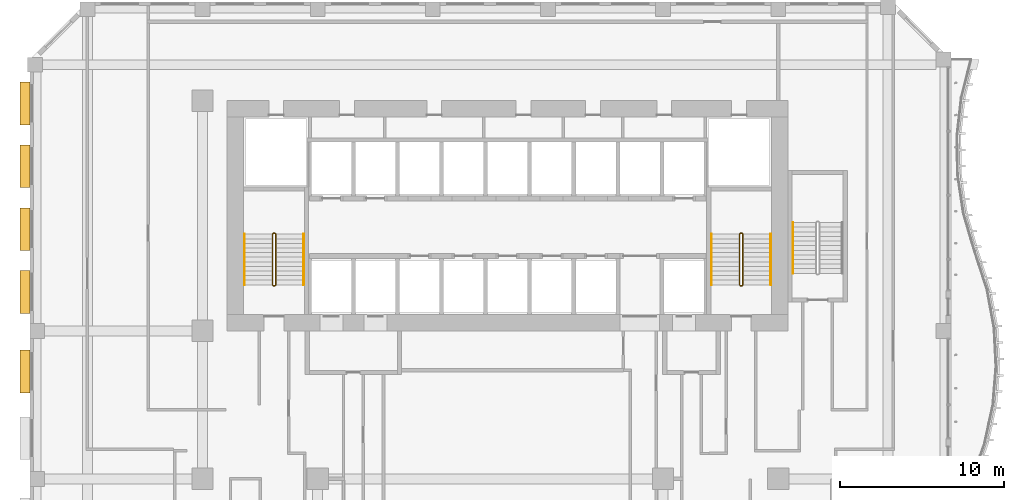
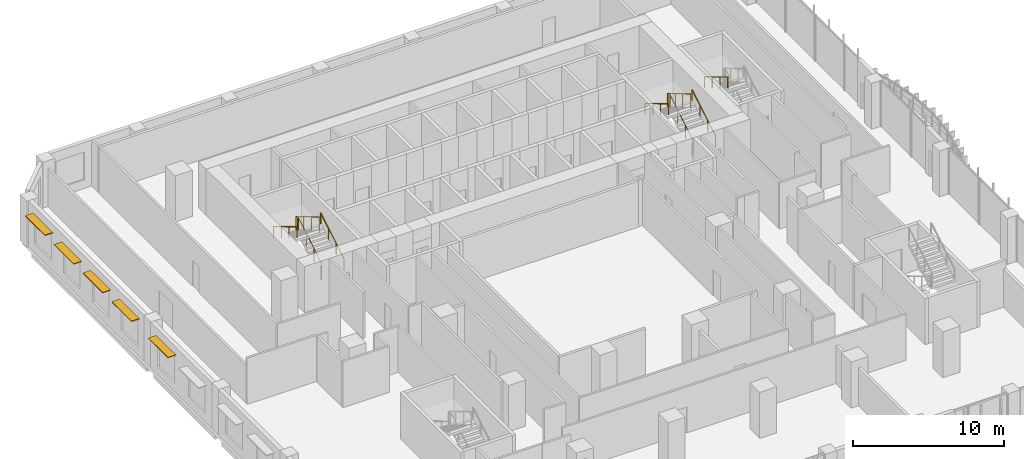
# One storey, part 26 of 27: 7 railings, 5 shading devices.
"""IFC4 building model written with IfcOpenShell, lengths in metres."""

from ifc_helpers import new_model, si_unit, direction, frame, origin, origin_2d, place, context, subcontext, project, spatial, rectangle, circle, extrude, source, transform, mapped, material, layer, layer_set, type_object, element, save


model = new_model("IFC4")

# Units and contexts
model_context = context("Model", 3, precision=1e-05, world=origin(), true_north=direction((0.0, 1.0)))
body_context = subcontext(model_context, "Body", "Model", "MODEL_VIEW")
ifc_project = project(units=[si_unit("LENGTHUNIT", "METRE"), si_unit("AREAUNIT", "SQUARE_METRE"), si_unit("VOLUMEUNIT", "CUBIC_METRE"), si_unit("PLANEANGLEUNIT", "RADIAN"), si_unit("MASSUNIT", "GRAM", prefix="KILO")], contexts=[model_context])

# Site, building, storey
site_placement = place(None, origin())
site = spatial("IfcSite", under=ifc_project, at=site_placement, CompositionType="ELEMENT")
building_placement = place(site_placement, origin())
building = spatial("IfcBuilding", under=site, at=building_placement, Name="Kilnfold Tower and Market Hall", CompositionType="ELEMENT")
storey_placement = place(building_placement, frame((0.0, 0.0, 47.0)))
storey = spatial("IfcBuildingStorey", under=building, at=storey_placement, Name="L10", CompositionType="ELEMENT", Elevation=47.0)

# Railings
ifc_material_1 = material(Name="Stainless steel 316", Category="steel")
railing_type_1 = type_object("IfcRailingType", Name="CORE STAIR GUARD 1100", PredefinedType="GUARDRAIL", material=ifc_material_1)
railing_1_placement = place(storey_placement, frame((-13.199951171875, 10.75, 0.0)))
element("IfcRailing", 1, at=railing_1_placement, inside=storey, type_object=railing_type_1, Name="L10 ST1 stair guard 1", PredefinedType="GUARDRAIL", context=body_context, shape_type="SweptSolid", body=[
    extrude(circle(Radius=0.02392578125, at=origin_2d()), frame((0.0, 0.0, 1.076171875), z_axis=(1.0, 0.0, 0.0), x_axis=(0.0, 1.0, 0.0)), (0.0, 0.0, 1.0), 0.099853515625),
    extrude(circle(Radius=0.02392578125, at=origin_2d()), frame((0.099853515625, 0.0, 1.076171875), z_axis=(0.27628659633, 0.27628659633, 0.920506074601), x_axis=(-0.707106781187, 0.707106781187, 0.0)), (0.0, 0.0, 1.0), 0.18115234375),
    extrude(circle(Radius=0.02392578125, at=origin_2d()), frame((0.14990234375, 0.050048828125, 1.24267578125), z_axis=(0.0, 0.859290745958, 0.51148745235), x_axis=(-1.0, 0.0, 0.0)), (0.0, 0.0, 1.0), 3.584228515625),
    extrude(circle(Radius=0.02392578125, at=origin_2d()), frame((0.14990234375, 3.1298828125, 3.076171875), z_axis=(-0.707106781187, 0.707106781187, 0.0), x_axis=(-0.707106781187, -0.707106781187, 0.0)), (0.0, 0.0, 1.0), 0.07080078125),
    extrude(circle(Radius=0.02392578125, at=origin_2d()), frame((0.099853515625, 3.179931640625, 3.076171875), z_axis=(-1.0, 0.0, 0.0), x_axis=(0.0, -1.0, 0.0)), (0.0, 0.0, 1.0), 0.099853515625),
    extrude(circle(Radius=0.02392578125, at=origin_2d()), frame((0.0, 3.179931640625, 3.076171875), z_axis=(-0.27628659633, -0.27628659633, 0.920506074601), x_axis=(0.707106781187, -0.707106781187, 0.0)), (0.0, 0.0, 1.0), 0.18115234375),
    extrude(circle(Radius=0.02392578125, at=origin_2d()), frame((-0.050048828125, 3.1298828125, 3.24267578125), z_axis=(0.0, -0.859290745958, 0.51148745235), x_axis=(1.0, 0.0, 0.0)), (0.0, 0.0, 1.0), 3.584228515625),
    extrude(circle(Radius=0.02099609375, at=origin_2d()), origin(), (0.0, 0.0, 1.0), 1.052001953125),
    extrude(circle(Radius=0.02099609375, at=origin_2d()), frame((0.099853515625, 0.0, 0.0)), (0.0, 0.0, 1.0), 1.052001953125),
    extrude(circle(Radius=0.02099609375, at=origin_2d()), frame((0.14990234375, 0.050048828125, 0.166748046875)), (0.0, 0.0, 1.0), 1.052001953125),
    extrude(circle(Radius=0.02099609375, at=origin_2d()), frame((0.14990234375, 1.07666015625, 0.77783203125)), (0.0, 0.0, 1.0), 1.052001953125),
    extrude(circle(Radius=0.02099609375, at=origin_2d()), frame((0.14990234375, 2.103271484375, 1.388916015625)), (0.0, 0.0, 1.0), 1.052001953125),
    extrude(circle(Radius=0.02099609375, at=origin_2d()), frame((0.14990234375, 3.1298828125, 2.0)), (0.0, 0.0, 1.0), 1.052001953125),
    extrude(circle(Radius=0.02099609375, at=origin_2d()), frame((0.099853515625, 3.179931640625, 2.0)), (0.0, 0.0, 1.0), 1.052001953125),
    extrude(circle(Radius=0.02099609375, at=origin_2d()), frame((0.0, 3.179931640625, 2.0)), (0.0, 0.0, 1.0), 1.052001953125),
    extrude(circle(Radius=0.02099609375, at=origin_2d()), frame((-0.050048828125, 3.1298828125, 2.166748046875)), (0.0, 0.0, 1.0), 1.052001953125),
    extrude(circle(Radius=0.02099609375, at=origin_2d()), frame((-0.050048828125, 2.103271484375, 2.77783203125)), (0.0, 0.0, 1.0), 1.052001953125),
    extrude(circle(Radius=0.02099609375, at=origin_2d()), frame((-0.050048828125, 1.07666015625, 3.388916015625)), (0.0, 0.0, 1.0), 1.052001953125),
    extrude(circle(Radius=0.02099609375, at=origin_2d()), frame((-0.050048828125, 0.050048828125, 4.0)), (0.0, 0.0, 1.0), 1.052001953125),
])
railing_2_placement = place(storey_placement, frame((15.199951171875, 10.75, 0.0)))
element("IfcRailing", 2, at=railing_2_placement, inside=storey, type_object=railing_type_1, Name="L10 ST2 stair guard 1", PredefinedType="GUARDRAIL", context=body_context, shape_type="SweptSolid", body=[
    extrude(circle(Radius=0.02392578125, at=origin_2d()), frame((0.0, 0.0, 1.076171875), z_axis=(1.0, 0.0, 0.0), x_axis=(0.0, 1.0, 0.0)), (0.0, 0.0, 1.0), 0.10009765625),
    extrude(circle(Radius=0.02392578125, at=origin_2d()), frame((0.10009765625, 0.0, 1.076171875), z_axis=(0.27628659633, 0.27628659633, 0.920506074601), x_axis=(-0.707106781187, 0.707106781187, 0.0)), (0.0, 0.0, 1.0), 0.18115234375),
    extrude(circle(Radius=0.02392578125, at=origin_2d()), frame((0.150146484375, 0.050048828125, 1.24267578125), z_axis=(0.0, 0.859290745958, 0.51148745235), x_axis=(-1.0, 0.0, 0.0)), (0.0, 0.0, 1.0), 3.584228515625),
    extrude(circle(Radius=0.02392578125, at=origin_2d()), frame((0.150146484375, 3.1298828125, 3.076171875), z_axis=(-0.707106781187, 0.707106781187, 0.0), x_axis=(-0.707106781187, -0.707106781187, 0.0)), (0.0, 0.0, 1.0), 0.07080078125),
    extrude(circle(Radius=0.02392578125, at=origin_2d()), frame((0.10009765625, 3.179931640625, 3.076171875), z_axis=(-1.0, 0.0, 0.0), x_axis=(0.0, -1.0, 0.0)), (0.0, 0.0, 1.0), 0.10009765625),
    extrude(circle(Radius=0.02392578125, at=origin_2d()), frame((0.0, 3.179931640625, 3.076171875), z_axis=(-0.27628659633, -0.27628659633, 0.920506074601), x_axis=(0.707106781187, -0.707106781187, 0.0)), (0.0, 0.0, 1.0), 0.18115234375),
    extrude(circle(Radius=0.02392578125, at=origin_2d()), frame((-0.050048828125, 3.1298828125, 3.24267578125), z_axis=(0.0, -0.859290745958, 0.51148745235), x_axis=(1.0, 0.0, 0.0)), (0.0, 0.0, 1.0), 3.584228515625),
    extrude(circle(Radius=0.02099609375, at=origin_2d()), origin(), (0.0, 0.0, 1.0), 1.052001953125),
    extrude(circle(Radius=0.02099609375, at=origin_2d()), frame((0.10009765625, 0.0, 0.0)), (0.0, 0.0, 1.0), 1.052001953125),
    extrude(circle(Radius=0.02099609375, at=origin_2d()), frame((0.150146484375, 0.050048828125, 0.166748046875)), (0.0, 0.0, 1.0), 1.052001953125),
    extrude(circle(Radius=0.02099609375, at=origin_2d()), frame((0.150146484375, 1.07666015625, 0.77783203125)), (0.0, 0.0, 1.0), 1.052001953125),
    extrude(circle(Radius=0.02099609375, at=origin_2d()), frame((0.150146484375, 2.103271484375, 1.388916015625)), (0.0, 0.0, 1.0), 1.052001953125),
    extrude(circle(Radius=0.02099609375, at=origin_2d()), frame((0.150146484375, 3.1298828125, 2.0)), (0.0, 0.0, 1.0), 1.052001953125),
    extrude(circle(Radius=0.02099609375, at=origin_2d()), frame((0.10009765625, 3.179931640625, 2.0)), (0.0, 0.0, 1.0), 1.052001953125),
    extrude(circle(Radius=0.02099609375, at=origin_2d()), frame((0.0, 3.179931640625, 2.0)), (0.0, 0.0, 1.0), 1.052001953125),
    extrude(circle(Radius=0.02099609375, at=origin_2d()), frame((-0.050048828125, 3.1298828125, 2.166748046875)), (0.0, 0.0, 1.0), 1.052001953125),
    extrude(circle(Radius=0.02099609375, at=origin_2d()), frame((-0.050048828125, 2.103271484375, 2.77783203125)), (0.0, 0.0, 1.0), 1.052001953125),
    extrude(circle(Radius=0.02099609375, at=origin_2d()), frame((-0.050048828125, 1.07666015625, 3.388916015625)), (0.0, 0.0, 1.0), 1.052001953125),
    extrude(circle(Radius=0.02099609375, at=origin_2d()), frame((-0.050048828125, 0.050048828125, 4.0)), (0.0, 0.0, 1.0), 1.052001953125),
])
ifc_material_2 = material(Name="Stainless steel 316", Category="steel")
railing_type_2 = type_object("IfcRailingType", Name="CORE STAIR HANDRAIL 900", PredefinedType="HANDRAIL", material=ifc_material_2)
railing_3_placement = place(storey_placement, frame((-11.35009765625, 10.800048828125, 0.166748046875)))
element("IfcRailing", 3, at=railing_3_placement, inside=storey, type_object=railing_type_2, Name="L10 ST1 stair handrail 1", PredefinedType="HANDRAIL", context=body_context, shape_type="SweptSolid", body=[
    extrude(circle(Radius=0.02392578125, at=origin_2d()), frame((0.0, 0.0, 0.8759765625), z_axis=(0.0, 0.859290745958, 0.51148745235), x_axis=(-1.0, 0.0, 0.0)), (0.0, 0.0, 1.0), 3.584228515625),
    extrude(circle(Radius=0.02099609375, at=origin_2d()), origin(), (0.0, 0.0, 1.0), 0.851806640625),
    extrude(circle(Radius=0.02099609375, at=origin_2d()), frame((0.0, 1.026611328125, 0.611083984375)), (0.0, 0.0, 1.0), 0.851806640625),
    extrude(circle(Radius=0.02099609375, at=origin_2d()), frame((0.0, 2.05322265625, 1.22216796875)), (0.0, 0.0, 1.0), 0.851806640625),
    extrude(circle(Radius=0.02099609375, at=origin_2d()), frame((0.0, 3.079833984375, 1.833251953125)), (0.0, 0.0, 1.0), 0.851806640625),
])
railing_4_placement = place(storey_placement, frame((-14.949951171875, 13.8798828125, 2.166748046875)))
element("IfcRailing", 4, at=railing_4_placement, inside=storey, type_object=railing_type_2, Name="L10 ST1 stair handrail 2", PredefinedType="HANDRAIL", context=body_context, shape_type="SweptSolid", body=[
    extrude(circle(Radius=0.02392578125, at=origin_2d()), frame((0.0, 0.0, 0.8759765625), z_axis=(0.0, -0.859290745958, 0.51148745235), x_axis=(1.0, 0.0, 0.0)), (0.0, 0.0, 1.0), 3.584228515625),
    extrude(circle(Radius=0.02099609375, at=origin_2d()), origin(), (0.0, 0.0, 1.0), 0.851806640625),
    extrude(circle(Radius=0.02099609375, at=origin_2d()), frame((0.0, -1.026611328125, 0.611083984375)), (0.0, 0.0, 1.0), 0.851806640625),
    extrude(circle(Radius=0.02099609375, at=origin_2d()), frame((0.0, -2.05322265625, 1.22216796875)), (0.0, 0.0, 1.0), 0.851806640625),
    extrude(circle(Radius=0.02099609375, at=origin_2d()), frame((0.0, -3.079833984375, 1.833251953125)), (0.0, 0.0, 1.0), 0.851806640625),
])
railing_5_placement = place(storey_placement, frame((17.050048828125, 10.800048828125, 0.166748046875)))
element("IfcRailing", 5, at=railing_5_placement, inside=storey, type_object=railing_type_2, Name="L10 ST2 stair handrail 1", PredefinedType="HANDRAIL", context=body_context, shape_type="SweptSolid", body=[
    extrude(circle(Radius=0.02392578125, at=origin_2d()), frame((0.0, 0.0, 0.8759765625), z_axis=(0.0, 0.859290745958, 0.51148745235), x_axis=(-1.0, 0.0, 0.0)), (0.0, 0.0, 1.0), 3.584228515625),
    extrude(circle(Radius=0.02099609375, at=origin_2d()), origin(), (0.0, 0.0, 1.0), 0.851806640625),
    extrude(circle(Radius=0.02099609375, at=origin_2d()), frame((0.0, 1.026611328125, 0.611083984375)), (0.0, 0.0, 1.0), 0.851806640625),
    extrude(circle(Radius=0.02099609375, at=origin_2d()), frame((0.0, 2.05322265625, 1.22216796875)), (0.0, 0.0, 1.0), 0.851806640625),
    extrude(circle(Radius=0.02099609375, at=origin_2d()), frame((0.0, 3.079833984375, 1.833251953125)), (0.0, 0.0, 1.0), 0.851806640625),
])
railing_6_placement = place(storey_placement, frame((13.449951171875, 13.8798828125, 2.166748046875)))
element("IfcRailing", 6, at=railing_6_placement, inside=storey, type_object=railing_type_2, Name="L10 ST2 stair handrail 2", PredefinedType="HANDRAIL", context=body_context, shape_type="SweptSolid", body=[
    extrude(circle(Radius=0.02392578125, at=origin_2d()), frame((0.0, 0.0, 0.8759765625), z_axis=(0.0, -0.859290745958, 0.51148745235), x_axis=(1.0, 0.0, 0.0)), (0.0, 0.0, 1.0), 3.584228515625),
    extrude(circle(Radius=0.02099609375, at=origin_2d()), origin(), (0.0, 0.0, 1.0), 0.851806640625),
    extrude(circle(Radius=0.02099609375, at=origin_2d()), frame((0.0, -1.026611328125, 0.611083984375)), (0.0, 0.0, 1.0), 0.851806640625),
    extrude(circle(Radius=0.02099609375, at=origin_2d()), frame((0.0, -2.05322265625, 1.22216796875)), (0.0, 0.0, 1.0), 0.851806640625),
    extrude(circle(Radius=0.02099609375, at=origin_2d()), frame((0.0, -3.079833984375, 1.833251953125)), (0.0, 0.0, 1.0), 0.851806640625),
])
railing_7_placement = place(storey_placement, frame((18.39990234375, 14.580078125, 2.166748046875)))
element("IfcRailing", 7, at=railing_7_placement, inside=storey, type_object=railing_type_2, Name="L10 ST5 stair handrail 2", PredefinedType="HANDRAIL", context=body_context, shape_type="SweptSolid", body=[
    extrude(circle(Radius=0.02392578125, at=origin_2d()), frame((0.0, 0.0, 0.8759765625), z_axis=(0.0, -0.859308565015, 0.511457515432), x_axis=(1.0, 0.0, 0.0)), (0.0, 0.0, 1.0), 3.58447265625),
    extrude(circle(Radius=0.02099609375, at=origin_2d()), origin(), (0.0, 0.0, 1.0), 0.851806640625),
    extrude(circle(Radius=0.02099609375, at=origin_2d()), frame((0.0, -1.026611328125, 0.611083984375)), (0.0, 0.0, 1.0), 0.851806640625),
    extrude(circle(Radius=0.02099609375, at=origin_2d()), frame((0.0, -2.053466796875, 1.22216796875)), (0.0, 0.0, 1.0), 0.851806640625),
    extrude(circle(Radius=0.02099609375, at=origin_2d()), frame((0.0, -3.080078125, 1.833251953125)), (0.0, 0.0, 1.0), 0.851806640625),
])

# Shading devices
ifc_material_3 = material(Name="Terracotta", Category="masonry")
ifc_layer = layer(ifc_material_3, 0.06005859375)
ifc_layer_set = layer_set([ifc_layer], Name="Terracotta")
shading_device_type = type_object("IfcShadingDeviceType", Name="SUNSHADE BLADE 600", PredefinedType="USERDEFINED", material=ifc_layer_set)
shared_shape = source(origin(), body_context, "Body", "SweptSolid", [
    extrude(rectangle(XDim=2.60009765625, YDim=0.60009765625, at=origin_2d()), origin(), (0.0, 0.0, 1.0), 0.06005859375),
])
for number, where, z_axis, x_axis, name in (
    (8, (-28.300048828125, 21.821533203125, 3.030029296875), (0.0, 0.0, 1.0), (0.0, -1.0, 0.0), "Sunshade L10 W"),
    (9, (-28.300048828125, 18.001220703125, 3.030029296875), (0.0, 0.0, 1.0), (0.0, -1.0, 0.0), "Sunshade L10 W"),
    (10, (-28.300048828125, 14.1806640625, 3.030029296875), (0.0, 0.0, 1.0), (0.0, -1.0, 0.0), "Sunshade L10 W"),
    (11, (-28.300048828125, 10.3603515625, 3.030029296875), (0.0, 0.0, 1.0), (0.0, -1.0, 0.0), "Sunshade L10 W"),
    (12, (-28.300048828125, 5.52490234375, 3.030029296875), (0.0, 0.0, 1.0), (0.0, -1.0, 0.0), "Sunshade L10 W"),
):
    element("IfcShadingDevice", number, at=place(storey_placement, frame(where, z_axis=z_axis, x_axis=x_axis)), inside=storey, type_object=shading_device_type, Name=name, ObjectType="SUNSHADE", PredefinedType="USERDEFINED", context=body_context, shape_type="MappedRepresentation", body=[
        mapped(shared_shape, transform((0.0, 0.0, 0.0))),
    ])

save(model, "model.ifc")
